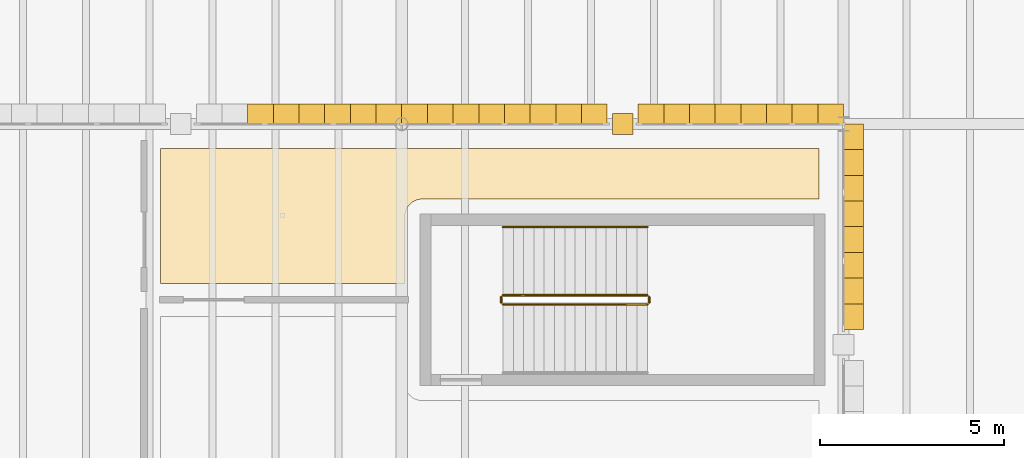
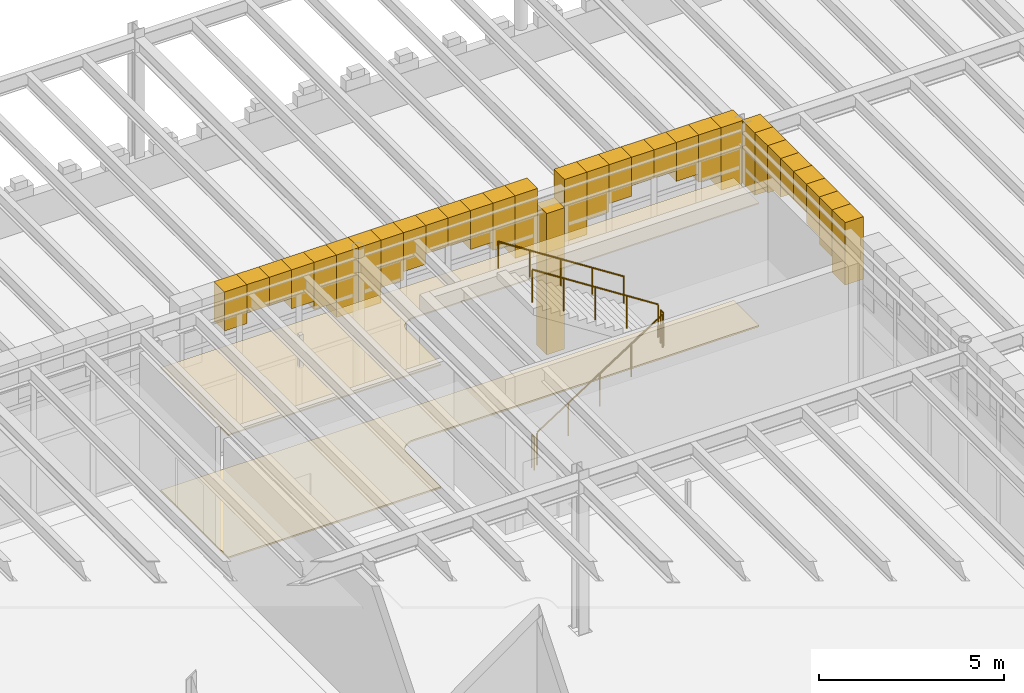
# One storey, part 82 of 100: 33 coverings, 5 railings.
"""IFC4 building model written with IfcOpenShell, lengths in metres."""

from ifc_helpers import new_model, si_unit, direction, frame, origin, origin_2d, place, context, subcontext, project, spatial, polyline, circle, outline, extrude, material, layer, layer_set, type_object, element, save


model = new_model("IFC4")

# Units and contexts
model_context = context("Model", 3, precision=1e-05, world=origin(), true_north=direction((0.0, 1.0)))
body_context = subcontext(model_context, "Body", "Model", "MODEL_VIEW")
ifc_project = project(units=[si_unit("LENGTHUNIT", "METRE"), si_unit("AREAUNIT", "SQUARE_METRE"), si_unit("VOLUMEUNIT", "CUBIC_METRE"), si_unit("PLANEANGLEUNIT", "RADIAN"), si_unit("MASSUNIT", "GRAM", prefix="KILO")], contexts=[model_context])

# Site, building, storey
site_placement = place(None, origin())
site = spatial("IfcSite", under=ifc_project, at=site_placement, CompositionType="ELEMENT")
building_placement = place(site_placement, origin())
building = spatial("IfcBuilding", under=site, at=building_placement, Name="Zlatogorsky Bluff Art Gallery", CompositionType="ELEMENT")
storey_placement = place(building_placement, frame((0.0, 0.0, 5.39990234375)))
storey = spatial("IfcBuildingStorey", under=building, at=storey_placement, Name="L01", CompositionType="ELEMENT", Elevation=5.39990234375)

# Coverings
ifc_material_1 = material(Name="Perforated Gypsum Acoustic Board", Category="gypsum")
ifc_layer_1 = layer(ifc_material_1, 0.0400390625)
ifc_layer_set_1 = layer_set([ifc_layer_1], Name="Acoustic Gallery Ceiling CLG-01")
covering_type_1 = type_object("IfcCoveringType", Name="Acoustic Gallery Ceiling CLG-01", PredefinedType="CEILING", material=ifc_layer_set_1)
covering_1_placement = place(storey_placement, frame((0.0, 0.0, 4.050048828125)))
element("IfcCovering", 1, at=covering_1_placement, inside=storey, type_object=covering_type_1, Name="Learning Centre Seminar Rooms acoustic ceiling", PredefinedType="CEILING", context=body_context, shape_type="SweptSolid", body=[
    extrude(outline(polyline([(36.549072265625, 105.9599609375), (36.504638671875, 105.957763671875), (36.460693359375, 105.951416015625), (36.459716796875, 105.951171875), (36.450439453125, 105.94921875), (36.449462890625, 105.948974609375), (36.40625, 105.93701171875), (36.3642578125, 105.9208984375), (36.36328125, 105.92041015625), (36.362548828125, 105.919921875), (36.326904296875, 105.902099609375), (36.325927734375, 105.901611328125), (36.293701171875, 105.882080078125), (36.26318359375, 105.859619140625), (36.26171875, 105.8583984375), (36.224609375, 105.8251953125), (36.19140625, 105.7880859375), (36.190185546875, 105.78662109375), (36.16796875, 105.75634765625), (36.148193359375, 105.72412109375), (36.147705078125, 105.72314453125), (36.1298828125, 105.6875), (36.129638671875, 105.6865234375), (36.129150390625, 105.685791015625), (36.113037109375, 105.643798828125), (36.10107421875, 105.6005859375), (36.100830078125, 105.599609375), (36.098876953125, 105.59033203125), (36.0986328125, 105.58935546875), (36.09228515625, 105.54541015625), (36.090087890625, 105.5009765625), (36.090087890625, 103.675048828125), (29.449951171875, 103.675048828125), (29.449951171875, 107.330078125), (47.330078125, 107.330078125), (47.330078125, 105.9599609375), (36.549072265625, 105.9599609375)])), origin(), (0.0, 0.0, 1.0), 0.0400390625),
])
ifc_material_2 = material(Name="Honed Red Agra-Tone Quartzitic Sandstone", Category="masonry")
ifc_layer_2 = layer(ifc_material_2, 0.1201171875)
ifc_layer_set_2 = layer_set([ifc_layer_2], Name="Carved Sandstone Cladding CLD-02")
covering_type_2 = type_object("IfcCoveringType", Name="Carved Sandstone Cladding CLD-02", PredefinedType="CLADDING", material=ifc_layer_set_2)
covering_2_placement = place(storey_placement, frame((0.0, 0.0, 4.076416015625)))
element("IfcCovering", 2, at=covering_2_placement, inside=storey, type_object=covering_type_2, Name="Pointed Mughal arch voussoir spandrel ARCH-CW-L01-N-02-09-A.3", PredefinedType="CLADDING", context=body_context, shape_type="SweptSolid", body=[
    extrude(outline(polyline([(31.81494140625, 107.969970703125), (32.512451171875, 107.969970703125), (32.512451171875, 108.5400390625), (31.81494140625, 108.5400390625), (31.81494140625, 107.969970703125)])), origin(), (0.0, 0.0, 1.0), 1.28369140625),
])
covering_3_placement = place(storey_placement, frame((0.0, 0.0, 4.424560546875)))
element("IfcCovering", 3, at=covering_3_placement, inside=storey, type_object=covering_type_2, Name="Pointed Mughal arch voussoir spandrel ARCH-CW-L01-N-02-09-A.4", PredefinedType="CLADDING", context=body_context, shape_type="SweptSolid", body=[
    extrude(outline(polyline([(32.512451171875, 107.969970703125), (33.2099609375, 107.969970703125), (33.2099609375, 108.5400390625), (32.512451171875, 108.5400390625), (32.512451171875, 107.969970703125)])), origin(), (0.0, 0.0, 1.0), 0.935546875),
])
covering_4_placement = place(storey_placement, frame((0.0, 0.0, 4.424560546875)))
element("IfcCovering", 4, at=covering_4_placement, inside=storey, type_object=covering_type_2, Name="Pointed Mughal arch voussoir spandrel ARCH-CW-L01-N-02-09-A.5", PredefinedType="CLADDING", context=body_context, shape_type="SweptSolid", body=[
    extrude(outline(polyline([(33.2099609375, 107.969970703125), (33.907470703125, 107.969970703125), (33.907470703125, 108.5400390625), (33.2099609375, 108.5400390625), (33.2099609375, 107.969970703125)])), origin(), (0.0, 0.0, 1.0), 0.935546875),
])
covering_5_placement = place(storey_placement, frame((0.0, 0.0, 4.076416015625)))
element("IfcCovering", 5, at=covering_5_placement, inside=storey, type_object=covering_type_2, Name="Pointed Mughal arch voussoir spandrel ARCH-CW-L01-N-02-09-A.6", PredefinedType="CLADDING", context=body_context, shape_type="SweptSolid", body=[
    extrude(outline(polyline([(33.907470703125, 107.969970703125), (34.60498046875, 107.969970703125), (34.60498046875, 108.5400390625), (33.907470703125, 108.5400390625), (33.907470703125, 107.969970703125)])), origin(), (0.0, 0.0, 1.0), 1.28369140625),
])
covering_6_placement = place(storey_placement, frame((0.0, 0.0, 3.7998046875)))
element("IfcCovering", 6, at=covering_6_placement, inside=storey, type_object=covering_type_2, Name="Pointed Mughal arch voussoir spandrel ARCH-CW-L01-N-02-09-A.7", PredefinedType="CLADDING", context=body_context, shape_type="SweptSolid", body=[
    extrude(outline(polyline([(34.60498046875, 107.969970703125), (35.302490234375, 107.969970703125), (35.302490234375, 108.5400390625), (34.60498046875, 108.5400390625), (34.60498046875, 107.969970703125)])), origin(), (0.0, 0.0, 1.0), 1.560302734375),
])
covering_7_placement = place(storey_placement, frame((0.0, 0.0, 3.2978515625)))
element("IfcCovering", 7, at=covering_7_placement, inside=storey, type_object=covering_type_2, Name="Pointed Mughal arch voussoir spandrel ARCH-CW-L01-N-02-09-A.8", PredefinedType="CLADDING", context=body_context, shape_type="SweptSolid", body=[
    extrude(outline(polyline([(35.302490234375, 107.969970703125), (36.0, 107.969970703125), (36.0, 108.5400390625), (35.302490234375, 108.5400390625), (35.302490234375, 107.969970703125)])), origin(), (0.0, 0.0, 1.0), 2.062255859375),
])
covering_8_placement = place(storey_placement, frame((0.0, 0.0, -0.02978515625)))
element("IfcCovering", 8, at=covering_8_placement, inside=storey, type_object=covering_type_2, Name="Mughal dalan central sandstone pier L01 N 3.9", PredefinedType="CLADDING", context=body_context, shape_type="SweptSolid", body=[
    extrude(outline(polyline([(41.719970703125, 107.719970703125), (42.280029296875, 107.719970703125), (42.280029296875, 108.280029296875), (41.719970703125, 108.280029296875), (41.719970703125, 107.719970703125)])), origin(), (0.0, 0.0, 1.0), 4.659912109375),
])
covering_9_placement = place(storey_placement, frame((0.0, 0.0, 3.2978515625)))
element("IfcCovering", 9, at=covering_9_placement, inside=storey, type_object=covering_type_2, Name="Pointed Mughal arch voussoir spandrel ARCH-CW-L01-N-03-09-A.1", PredefinedType="CLADDING", context=body_context, shape_type="SweptSolid", body=[
    extrude(outline(polyline([(42.419921875, 107.969970703125), (43.117431640625, 107.969970703125), (43.117431640625, 108.5400390625), (42.419921875, 108.5400390625), (42.419921875, 107.969970703125)])), origin(), (0.0, 0.0, 1.0), 2.062255859375),
])
covering_10_placement = place(storey_placement, frame((0.0, 0.0, 3.7998046875)))
element("IfcCovering", 10, at=covering_10_placement, inside=storey, type_object=covering_type_2, Name="Pointed Mughal arch voussoir spandrel ARCH-CW-L01-N-03-09-A.2", PredefinedType="CLADDING", context=body_context, shape_type="SweptSolid", body=[
    extrude(outline(polyline([(43.117431640625, 107.969970703125), (43.81494140625, 107.969970703125), (43.81494140625, 108.5400390625), (43.117431640625, 108.5400390625), (43.117431640625, 107.969970703125)])), origin(), (0.0, 0.0, 1.0), 1.560302734375),
])
covering_11_placement = place(storey_placement, frame((0.0, 0.0, 4.076416015625)))
element("IfcCovering", 11, at=covering_11_placement, inside=storey, type_object=covering_type_2, Name="Pointed Mughal arch voussoir spandrel ARCH-CW-L01-N-03-09-A.3", PredefinedType="CLADDING", context=body_context, shape_type="SweptSolid", body=[
    extrude(outline(polyline([(43.81494140625, 107.969970703125), (44.512451171875, 107.969970703125), (44.512451171875, 108.5400390625), (43.81494140625, 108.5400390625), (43.81494140625, 107.969970703125)])), origin(), (0.0, 0.0, 1.0), 1.28369140625),
])
covering_12_placement = place(storey_placement, frame((0.0, 0.0, 4.424560546875)))
element("IfcCovering", 12, at=covering_12_placement, inside=storey, type_object=covering_type_2, Name="Pointed Mughal arch voussoir spandrel ARCH-CW-L01-N-03-09-A.4", PredefinedType="CLADDING", context=body_context, shape_type="SweptSolid", body=[
    extrude(outline(polyline([(44.512451171875, 107.969970703125), (45.2099609375, 107.969970703125), (45.2099609375, 108.5400390625), (44.512451171875, 108.5400390625), (44.512451171875, 107.969970703125)])), origin(), (0.0, 0.0, 1.0), 0.935546875),
])
covering_13_placement = place(storey_placement, frame((0.0, 0.0, 4.424560546875)))
element("IfcCovering", 13, at=covering_13_placement, inside=storey, type_object=covering_type_2, Name="Pointed Mughal arch voussoir spandrel ARCH-CW-L01-N-03-09-A.5", PredefinedType="CLADDING", context=body_context, shape_type="SweptSolid", body=[
    extrude(outline(polyline([(45.2099609375, 107.969970703125), (45.907470703125, 107.969970703125), (45.907470703125, 108.5400390625), (45.2099609375, 108.5400390625), (45.2099609375, 107.969970703125)])), origin(), (0.0, 0.0, 1.0), 0.935546875),
])
covering_14_placement = place(storey_placement, frame((0.0, 0.0, 4.076416015625)))
element("IfcCovering", 14, at=covering_14_placement, inside=storey, type_object=covering_type_2, Name="Pointed Mughal arch voussoir spandrel ARCH-CW-L01-N-03-09-A.6", PredefinedType="CLADDING", context=body_context, shape_type="SweptSolid", body=[
    extrude(outline(polyline([(45.907470703125, 107.969970703125), (46.60498046875, 107.969970703125), (46.60498046875, 108.5400390625), (45.907470703125, 108.5400390625), (45.907470703125, 107.969970703125)])), origin(), (0.0, 0.0, 1.0), 1.28369140625),
])
covering_15_placement = place(storey_placement, frame((0.0, 0.0, 3.7998046875)))
element("IfcCovering", 15, at=covering_15_placement, inside=storey, type_object=covering_type_2, Name="Pointed Mughal arch voussoir spandrel ARCH-CW-L01-N-03-09-A.7", PredefinedType="CLADDING", context=body_context, shape_type="SweptSolid", body=[
    extrude(outline(polyline([(46.60498046875, 107.969970703125), (47.302490234375, 107.969970703125), (47.302490234375, 108.5400390625), (46.60498046875, 108.5400390625), (46.60498046875, 107.969970703125)])), origin(), (0.0, 0.0, 1.0), 1.560302734375),
])
covering_16_placement = place(storey_placement, frame((0.0, 0.0, 3.2978515625)))
element("IfcCovering", 16, at=covering_16_placement, inside=storey, type_object=covering_type_2, Name="Pointed Mughal arch voussoir spandrel ARCH-CW-L01-N-03-09-A.8", PredefinedType="CLADDING", context=body_context, shape_type="SweptSolid", body=[
    extrude(outline(polyline([(47.302490234375, 107.969970703125), (48.0, 107.969970703125), (48.0, 108.5400390625), (47.302490234375, 108.5400390625), (47.302490234375, 107.969970703125)])), origin(), (0.0, 0.0, 1.0), 2.062255859375),
])
covering_17_placement = place(storey_placement, frame((0.0, 0.0, 3.2978515625)))
element("IfcCovering", 17, at=covering_17_placement, inside=storey, type_object=covering_type_2, Name="Pointed Mughal arch voussoir spandrel ARCH-CW-L01-N-03-09-B.1", PredefinedType="CLADDING", context=body_context, shape_type="SweptSolid", body=[
    extrude(outline(polyline([(36.0, 107.969970703125), (36.697509765625, 107.969970703125), (36.697509765625, 108.5400390625), (36.0, 108.5400390625), (36.0, 107.969970703125)])), origin(), (0.0, 0.0, 1.0), 2.062255859375),
])
covering_18_placement = place(storey_placement, frame((0.0, 0.0, 3.7998046875)))
element("IfcCovering", 18, at=covering_18_placement, inside=storey, type_object=covering_type_2, Name="Pointed Mughal arch voussoir spandrel ARCH-CW-L01-N-03-09-B.2", PredefinedType="CLADDING", context=body_context, shape_type="SweptSolid", body=[
    extrude(outline(polyline([(36.697509765625, 107.969970703125), (37.39501953125, 107.969970703125), (37.39501953125, 108.5400390625), (36.697509765625, 108.5400390625), (36.697509765625, 107.969970703125)])), origin(), (0.0, 0.0, 1.0), 1.560302734375),
])
covering_19_placement = place(storey_placement, frame((0.0, 0.0, 4.076416015625)))
element("IfcCovering", 19, at=covering_19_placement, inside=storey, type_object=covering_type_2, Name="Pointed Mughal arch voussoir spandrel ARCH-CW-L01-N-03-09-B.3", PredefinedType="CLADDING", context=body_context, shape_type="SweptSolid", body=[
    extrude(outline(polyline([(37.39501953125, 107.969970703125), (38.092529296875, 107.969970703125), (38.092529296875, 108.5400390625), (37.39501953125, 108.5400390625), (37.39501953125, 107.969970703125)])), origin(), (0.0, 0.0, 1.0), 1.28369140625),
])
covering_20_placement = place(storey_placement, frame((0.0, 0.0, 4.424560546875)))
element("IfcCovering", 20, at=covering_20_placement, inside=storey, type_object=covering_type_2, Name="Pointed Mughal arch voussoir spandrel ARCH-CW-L01-N-03-09-B.4", PredefinedType="CLADDING", context=body_context, shape_type="SweptSolid", body=[
    extrude(outline(polyline([(38.092529296875, 107.969970703125), (38.7900390625, 107.969970703125), (38.7900390625, 108.5400390625), (38.092529296875, 108.5400390625), (38.092529296875, 107.969970703125)])), origin(), (0.0, 0.0, 1.0), 0.935546875),
])
covering_21_placement = place(storey_placement, frame((0.0, 0.0, 4.424560546875)))
element("IfcCovering", 21, at=covering_21_placement, inside=storey, type_object=covering_type_2, Name="Pointed Mughal arch voussoir spandrel ARCH-CW-L01-N-03-09-B.5", PredefinedType="CLADDING", context=body_context, shape_type="SweptSolid", body=[
    extrude(outline(polyline([(38.7900390625, 107.969970703125), (39.487548828125, 107.969970703125), (39.487548828125, 108.5400390625), (38.7900390625, 108.5400390625), (38.7900390625, 107.969970703125)])), origin(), (0.0, 0.0, 1.0), 0.935546875),
])
covering_22_placement = place(storey_placement, frame((0.0, 0.0, 4.076416015625)))
element("IfcCovering", 22, at=covering_22_placement, inside=storey, type_object=covering_type_2, Name="Pointed Mughal arch voussoir spandrel ARCH-CW-L01-N-03-09-B.6", PredefinedType="CLADDING", context=body_context, shape_type="SweptSolid", body=[
    extrude(outline(polyline([(39.487548828125, 107.969970703125), (40.18505859375, 107.969970703125), (40.18505859375, 108.5400390625), (39.487548828125, 108.5400390625), (39.487548828125, 107.969970703125)])), origin(), (0.0, 0.0, 1.0), 1.28369140625),
])
covering_23_placement = place(storey_placement, frame((0.0, 0.0, 3.7998046875)))
element("IfcCovering", 23, at=covering_23_placement, inside=storey, type_object=covering_type_2, Name="Pointed Mughal arch voussoir spandrel ARCH-CW-L01-N-03-09-B.7", PredefinedType="CLADDING", context=body_context, shape_type="SweptSolid", body=[
    extrude(outline(polyline([(40.18505859375, 107.969970703125), (40.882568359375, 107.969970703125), (40.882568359375, 108.5400390625), (40.18505859375, 108.5400390625), (40.18505859375, 107.969970703125)])), origin(), (0.0, 0.0, 1.0), 1.560302734375),
])
covering_24_placement = place(storey_placement, frame((0.0, 0.0, 3.2978515625)))
element("IfcCovering", 24, at=covering_24_placement, inside=storey, type_object=covering_type_2, Name="Pointed Mughal arch voussoir spandrel ARCH-CW-L01-N-03-09-B.8", PredefinedType="CLADDING", context=body_context, shape_type="SweptSolid", body=[
    extrude(outline(polyline([(40.882568359375, 107.969970703125), (41.580078125, 107.969970703125), (41.580078125, 108.5400390625), (40.882568359375, 108.5400390625), (40.882568359375, 107.969970703125)])), origin(), (0.0, 0.0, 1.0), 2.062255859375),
])
covering_25_placement = place(storey_placement, frame((0.0, 0.0, 3.2978515625)))
element("IfcCovering", 25, at=covering_25_placement, inside=storey, type_object=covering_type_2, Name="Pointed Mughal arch voussoir spandrel ARCH-CW-L01-E-03-09-B.1", PredefinedType="CLADDING", context=body_context, shape_type="SweptSolid", body=[
    extrude(outline(polyline([(47.969970703125, 102.419921875), (47.969970703125, 103.117431640625), (48.5400390625, 103.117431640625), (48.5400390625, 102.419921875), (47.969970703125, 102.419921875)])), origin(), (0.0, 0.0, 1.0), 2.062255859375),
])
covering_26_placement = place(storey_placement, frame((0.0, 0.0, 3.7998046875)))
element("IfcCovering", 26, at=covering_26_placement, inside=storey, type_object=covering_type_2, Name="Pointed Mughal arch voussoir spandrel ARCH-CW-L01-E-03-09-B.2", PredefinedType="CLADDING", context=body_context, shape_type="SweptSolid", body=[
    extrude(outline(polyline([(47.969970703125, 103.117431640625), (47.969970703125, 103.81494140625), (48.5400390625, 103.81494140625), (48.5400390625, 103.117431640625), (47.969970703125, 103.117431640625)])), origin(), (0.0, 0.0, 1.0), 1.560302734375),
])
covering_27_placement = place(storey_placement, frame((0.0, 0.0, 4.076416015625)))
element("IfcCovering", 27, at=covering_27_placement, inside=storey, type_object=covering_type_2, Name="Pointed Mughal arch voussoir spandrel ARCH-CW-L01-E-03-09-B.3", PredefinedType="CLADDING", context=body_context, shape_type="SweptSolid", body=[
    extrude(outline(polyline([(47.969970703125, 103.81494140625), (47.969970703125, 104.512451171875), (48.5400390625, 104.512451171875), (48.5400390625, 103.81494140625), (47.969970703125, 103.81494140625)])), origin(), (0.0, 0.0, 1.0), 1.28369140625),
])
covering_28_placement = place(storey_placement, frame((0.0, 0.0, 4.424560546875)))
element("IfcCovering", 28, at=covering_28_placement, inside=storey, type_object=covering_type_2, Name="Pointed Mughal arch voussoir spandrel ARCH-CW-L01-E-03-09-B.4", PredefinedType="CLADDING", context=body_context, shape_type="SweptSolid", body=[
    extrude(outline(polyline([(47.969970703125, 104.512451171875), (47.969970703125, 105.2099609375), (48.5400390625, 105.2099609375), (48.5400390625, 104.512451171875), (47.969970703125, 104.512451171875)])), origin(), (0.0, 0.0, 1.0), 0.935546875),
])
covering_29_placement = place(storey_placement, frame((0.0, 0.0, 4.424560546875)))
element("IfcCovering", 29, at=covering_29_placement, inside=storey, type_object=covering_type_2, Name="Pointed Mughal arch voussoir spandrel ARCH-CW-L01-E-03-09-B.5", PredefinedType="CLADDING", context=body_context, shape_type="SweptSolid", body=[
    extrude(outline(polyline([(47.969970703125, 105.2099609375), (47.969970703125, 105.907470703125), (48.5400390625, 105.907470703125), (48.5400390625, 105.2099609375), (47.969970703125, 105.2099609375)])), origin(), (0.0, 0.0, 1.0), 0.935546875),
])
covering_30_placement = place(storey_placement, frame((0.0, 0.0, 4.076416015625)))
element("IfcCovering", 30, at=covering_30_placement, inside=storey, type_object=covering_type_2, Name="Pointed Mughal arch voussoir spandrel ARCH-CW-L01-E-03-09-B.6", PredefinedType="CLADDING", context=body_context, shape_type="SweptSolid", body=[
    extrude(outline(polyline([(47.969970703125, 105.907470703125), (47.969970703125, 106.60498046875), (48.5400390625, 106.60498046875), (48.5400390625, 105.907470703125), (47.969970703125, 105.907470703125)])), origin(), (0.0, 0.0, 1.0), 1.28369140625),
])
covering_31_placement = place(storey_placement, frame((0.0, 0.0, 3.7998046875)))
element("IfcCovering", 31, at=covering_31_placement, inside=storey, type_object=covering_type_2, Name="Pointed Mughal arch voussoir spandrel ARCH-CW-L01-E-03-09-B.7", PredefinedType="CLADDING", context=body_context, shape_type="SweptSolid", body=[
    extrude(outline(polyline([(47.969970703125, 106.60498046875), (47.969970703125, 107.302490234375), (48.5400390625, 107.302490234375), (48.5400390625, 106.60498046875), (47.969970703125, 106.60498046875)])), origin(), (0.0, 0.0, 1.0), 1.560302734375),
])
covering_32_placement = place(storey_placement, frame((0.0, 0.0, 3.2978515625)))
element("IfcCovering", 32, at=covering_32_placement, inside=storey, type_object=covering_type_2, Name="Pointed Mughal arch voussoir spandrel ARCH-CW-L01-E-03-09-B.8", PredefinedType="CLADDING", context=body_context, shape_type="SweptSolid", body=[
    extrude(outline(polyline([(47.969970703125, 107.302490234375), (47.969970703125, 108.0), (48.5400390625, 108.0), (48.5400390625, 107.302490234375), (47.969970703125, 107.302490234375)])), origin(), (0.0, 0.0, 1.0), 2.062255859375),
])

# Railings
ifc_material_3 = material(Name="Architectural Bronze and Laminated Glass", Category="glass")
railing_type_1 = type_object("IfcRailingType", Name="Gallery Guard Rail 1100mm", PredefinedType="GUARDRAIL", material=ifc_material_3)
railing_1_placement = place(storey_placement, frame((38.75, 103.10009765625, 0.18017578125)))
element("IfcRailing", 33, at=railing_1_placement, inside=storey, type_object=railing_type_1, Name="L01 ST-07 stair guard 1", PredefinedType="GUARDRAIL", context=body_context, shape_type="SweptSolid", body=[
    extrude(circle(Radius=0.02392578125, at=origin_2d()), frame((0.0, 0.0, 1.076171875), z_axis=(0.841171666519, 0.0, 0.540768182723), x_axis=(0.0, 1.0, 0.0)), (0.0, 0.0, 1.0), 4.66015625),
    extrude(circle(Radius=0.02099609375, at=origin_2d()), origin(), (0.0, 0.0, 1.0), 1.052001953125),
    extrude(circle(Radius=0.02099609375, at=origin_2d()), frame((0.97998046875, 0.0, 0.6298828125)), (0.0, 0.0, 1.0), 1.052001953125),
    extrude(circle(Radius=0.02099609375, at=origin_2d()), frame((1.9599609375, 0.0, 1.260009765625)), (0.0, 0.0, 1.0), 1.052001953125),
    extrude(circle(Radius=0.02099609375, at=origin_2d()), frame((2.93994140625, 0.0, 1.89013671875)), (0.0, 0.0, 1.0), 1.052001953125),
    extrude(circle(Radius=0.02099609375, at=origin_2d()), frame((3.919921875, 0.0, 2.52001953125)), (0.0, 0.0, 1.0), 1.052001953125),
])
railing_2_placement = place(storey_placement, frame((42.719970703125, 103.14990234375, 2.7001953125)))
element("IfcRailing", 34, at=railing_2_placement, inside=storey, type_object=railing_type_1, Name="L01 ST-07 stair guard 2", PredefinedType="GUARDRAIL", context=body_context, shape_type="SweptSolid", body=[
    extrude(circle(Radius=0.02392578125, at=origin_2d()), frame((0.0, 0.0, 1.076171875), z_axis=(0.0, 1.0, 0.0), x_axis=(-1.0, 0.0, 0.0)), (0.0, 0.0, 1.0), 0.150146484375),
    extrude(circle(Radius=0.02099609375, at=origin_2d()), origin(), (0.0, 0.0, 1.0), 1.052001953125),
    extrude(circle(Radius=0.02099609375, at=origin_2d()), frame((0.0, 0.150146484375, 0.0)), (0.0, 0.0, 1.0), 1.052001953125),
])
railing_3_placement = place(storey_placement, frame((42.669921875, 103.35009765625, 2.880126953125)))
element("IfcRailing", 35, at=railing_3_placement, inside=storey, type_object=railing_type_1, Name="L01 ST-07 stair guard 3", PredefinedType="GUARDRAIL", context=body_context, shape_type="SweptSolid", body=[
    extrude(circle(Radius=0.02392578125, at=origin_2d()), frame((0.0, 0.0, 1.076171875), z_axis=(-0.841171666519, 0.0, 0.540768182723), x_axis=(0.0, -1.0, 0.0)), (0.0, 0.0, 1.0), 4.66015625),
    extrude(circle(Radius=0.02099609375, at=origin_2d()), origin(), (0.0, 0.0, 1.0), 1.052001953125),
    extrude(circle(Radius=0.02099609375, at=origin_2d()), frame((-0.97998046875, 0.0, 0.6298828125)), (0.0, 0.0, 1.0), 1.052001953125),
    extrude(circle(Radius=0.02099609375, at=origin_2d()), frame((-1.9599609375, 0.0, 1.260009765625)), (0.0, 0.0, 1.0), 1.052001953125),
    extrude(circle(Radius=0.02099609375, at=origin_2d()), frame((-2.93994140625, 0.0, 1.89013671875)), (0.0, 0.0, 1.0), 1.052001953125),
    extrude(circle(Radius=0.02099609375, at=origin_2d()), frame((-3.919921875, 0.0, 2.52001953125)), (0.0, 0.0, 1.0), 1.052001953125),
])
railing_4_placement = place(storey_placement, frame((38.699951171875, 103.14990234375, 0.0)))
element("IfcRailing", 36, at=railing_4_placement, inside=storey, type_object=railing_type_1, Name="L01 ST-07 stair guard 4", PredefinedType="GUARDRAIL", context=body_context, shape_type="SweptSolid", body=[
    extrude(circle(Radius=0.02392578125, at=origin_2d()), frame((0.0, 0.0, 1.076171875), z_axis=(0.0, 1.0, 0.0), x_axis=(-1.0, 0.0, 0.0)), (0.0, 0.0, 1.0), 0.150146484375),
    extrude(circle(Radius=0.02099609375, at=origin_2d()), origin(), (0.0, 0.0, 1.0), 1.052001953125),
    extrude(circle(Radius=0.02099609375, at=origin_2d()), frame((0.0, 0.150146484375, 0.0)), (0.0, 0.0, 1.0), 1.052001953125),
])
ifc_material_4 = material(Name="Brushed Stainless Steel", Category="steel")
railing_type_2 = type_object("IfcRailingType", Name="Stair Pitch Handrail 900mm", PredefinedType="HANDRAIL", material=ifc_material_4)
railing_5_placement = place(storey_placement, frame((42.669921875, 105.199951171875, 2.880126953125)))
element("IfcRailing", 37, at=railing_5_placement, inside=storey, type_object=railing_type_2, Name="L01 ST-07 stair handrail 2", PredefinedType="HANDRAIL", context=body_context, shape_type="SweptSolid", body=[
    extrude(circle(Radius=0.02392578125, at=origin_2d()), frame((0.0, 0.0, 0.8759765625), z_axis=(-0.841171666519, 0.0, 0.540768182723), x_axis=(0.0, -1.0, 0.0)), (0.0, 0.0, 1.0), 4.66015625),
    extrude(circle(Radius=0.02099609375, at=origin_2d()), origin(), (0.0, 0.0, 1.0), 0.851806640625),
    extrude(circle(Radius=0.02099609375, at=origin_2d()), frame((-0.97998046875, 0.0, 0.6298828125)), (0.0, 0.0, 1.0), 0.851806640625),
    extrude(circle(Radius=0.02099609375, at=origin_2d()), frame((-1.9599609375, 0.0, 1.260009765625)), (0.0, 0.0, 1.0), 0.851806640625),
    extrude(circle(Radius=0.02099609375, at=origin_2d()), frame((-2.93994140625, 0.0, 1.89013671875)), (0.0, 0.0, 1.0), 0.851806640625),
    extrude(circle(Radius=0.02099609375, at=origin_2d()), frame((-3.919921875, 0.0, 2.52001953125)), (0.0, 0.0, 1.0), 0.851806640625),
])

# Covering
ifc_material_5 = material(Name="Polished Ural Marble Terrazzo", Category="masonry")
ifc_layer_3 = layer(ifc_material_5, 0.050048828125)
ifc_layer_set_3 = layer_set([ifc_layer_3], Name="Terrazzo Gallery Flooring FLR-01")
covering_type_3 = type_object("IfcCoveringType", Name="Terrazzo Gallery Flooring FLR-01", PredefinedType="FLOORING", material=ifc_layer_set_3)
covering_33_placement = place(storey_placement, origin())
element("IfcCovering", 38, at=covering_33_placement, inside=storey, type_object=covering_type_3, Name="Learning Centre Seminar Rooms terrazzo floor finish", PredefinedType="FLOORING", context=body_context, shape_type="SweptSolid", body=[
    extrude(outline(polyline([(36.549072265625, 105.9599609375), (36.504638671875, 105.957763671875), (36.460693359375, 105.951416015625), (36.459716796875, 105.951171875), (36.450439453125, 105.94921875), (36.449462890625, 105.948974609375), (36.40625, 105.93701171875), (36.3642578125, 105.9208984375), (36.36328125, 105.92041015625), (36.362548828125, 105.919921875), (36.326904296875, 105.902099609375), (36.325927734375, 105.901611328125), (36.293701171875, 105.882080078125), (36.26318359375, 105.859619140625), (36.26171875, 105.8583984375), (36.224609375, 105.8251953125), (36.19140625, 105.7880859375), (36.190185546875, 105.78662109375), (36.16796875, 105.75634765625), (36.148193359375, 105.72412109375), (36.147705078125, 105.72314453125), (36.1298828125, 105.6875), (36.129638671875, 105.6865234375), (36.129150390625, 105.685791015625), (36.113037109375, 105.643798828125), (36.10107421875, 105.6005859375), (36.100830078125, 105.599609375), (36.098876953125, 105.59033203125), (36.0986328125, 105.58935546875), (36.09228515625, 105.54541015625), (36.090087890625, 105.5009765625), (36.090087890625, 103.675048828125), (29.449951171875, 103.675048828125), (29.449951171875, 107.330078125), (47.330078125, 107.330078125), (47.330078125, 105.9599609375), (36.549072265625, 105.9599609375)])), origin(), (0.0, 0.0, 1.0), 0.050048828125),
])

save(model, "model.ifc")
